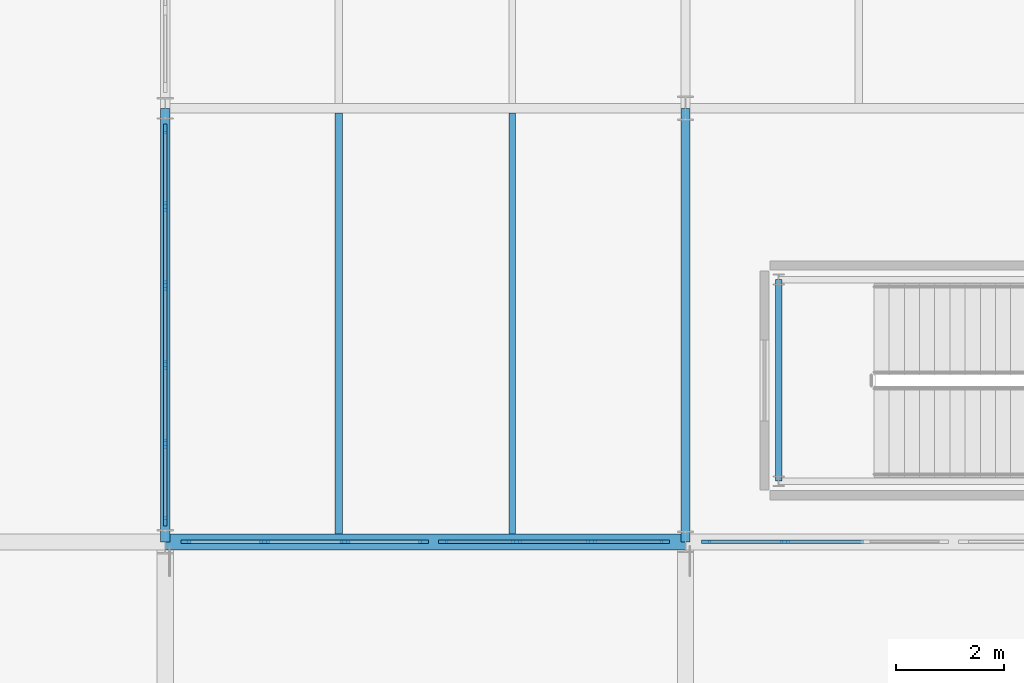
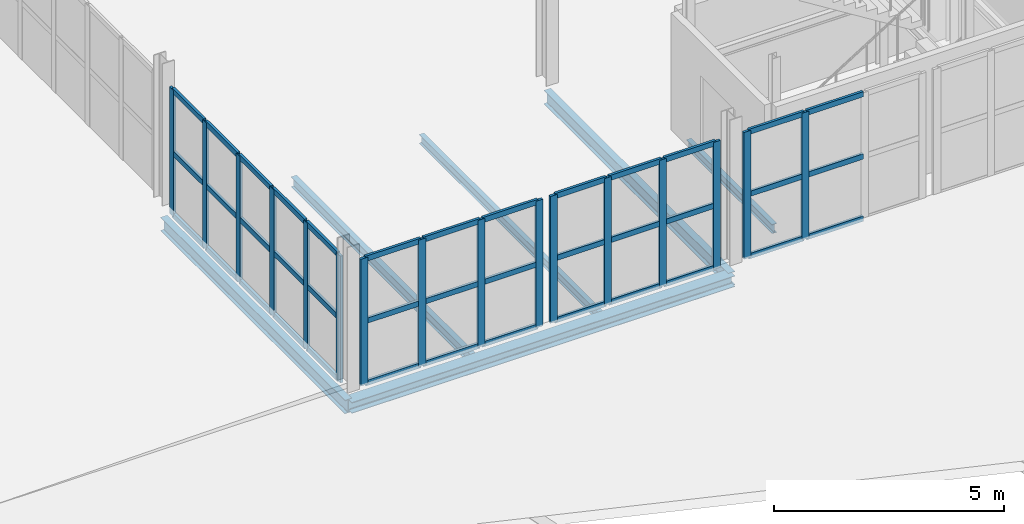
# One storey, part 40 of 85: 55 members, 6 beams, 4 elements without a shape of their own.
"""IFC4 building model written with IfcOpenShell, lengths in metres."""

from ifc_helpers import new_model, si_unit, direction, frame, origin, origin_2d, place, context, subcontext, project, spatial, rectangle, i_section, extrude, material, layer, layer_set, material_profile, profile_set, type_object, element, aggregate, save


model = new_model("IFC4")

# Units and contexts
model_context = context("Model", 3, precision=1e-05, world=origin(), true_north=direction((0.0, 1.0)))
body_context = subcontext(model_context, "Body", "Model", "MODEL_VIEW")
ifc_project = project(units=[si_unit("LENGTHUNIT", "METRE"), si_unit("AREAUNIT", "SQUARE_METRE"), si_unit("VOLUMEUNIT", "CUBIC_METRE"), si_unit("PLANEANGLEUNIT", "RADIAN"), si_unit("MASSUNIT", "GRAM", prefix="KILO")], contexts=[model_context])

# Site, building, storey
site_placement = place(None, origin())
site = spatial("IfcSite", under=ifc_project, at=site_placement, CompositionType="ELEMENT")
building_placement = place(site_placement, origin())
building = spatial("IfcBuilding", under=site, at=building_placement, Name="Alderhovde Museum", CompositionType="ELEMENT")
storey_placement = place(building_placement, frame((0.0, 0.0, 8.699951171875)))
storey = spatial("IfcBuildingStorey", under=building, at=storey_placement, Name="L02", CompositionType="ELEMENT", Elevation=8.699951171875)

# Beams
ifc_material_1 = material(Name="Steel S355J2", Category="steel")
ifc_material_profile_1 = material_profile(ifc_material_1, i_section(OverallWidth=0.1201171875, OverallDepth=0.239990234375, WebThickness=0.006103515625, FlangeThickness=0.009765625, FilletRadius=0.014892578125, at=origin_2d()), Name="IPE 240")
ifc_profile_set_1 = profile_set([ifc_material_profile_1], Name="Steel S355J2")
beam_type_1 = type_object("IfcBeamType", Name="BM-IPE240", PredefinedType="BEAM", material=ifc_profile_set_1)
beam_1_placement = place(storey_placement, frame((88.1201171875, 33.1201171875, -0.3798828125), z_axis=(0.0, 1.0, 0.0), x_axis=(-1.0, 0.0, 0.0)))
element("IfcBeam", 1, at=beam_1_placement, inside=storey, type_object=beam_type_1, Name="L02 Stair ST3 Floor Trimmer W", PredefinedType="BEAM", context=body_context, shape_type="SweptSolid", body=[
    extrude(i_section(OverallWidth=0.1201171875, OverallDepth=0.239990234375, WebThickness=0.006103515625, FlangeThickness=0.009765625, FilletRadius=0.014892578125, at=origin_2d()), origin(), (0.0, 0.0, 1.0), 3.719970703125),
])
ifc_material_2 = material(Name="Steel S355J2", Category="steel")
ifc_material_profile_2 = material_profile(ifc_material_2, i_section(OverallWidth=0.169921875, OverallDepth=0.360107421875, WebThickness=0.008056640625, FlangeThickness=0.0126953125, FilletRadius=0.01806640625, at=origin_2d()), Name="IPE 360")
ifc_profile_set_2 = profile_set([ifc_material_profile_2], Name="Steel S355J2")
beam_type_2 = type_object("IfcBeamType", Name="BM-IPE360", PredefinedType="BEAM", material=ifc_profile_set_2)
for number, where, z_axis, x_axis, name in (
    (2, (76.800048828125, 32.0, -0.43994140625), (0.0, 1.0, 0.0), (-1.0, 0.0, 0.0), "L02 Grid Beam X=76.8 (32.0 TO 40.0)"),
    (3, (86.39990234375, 32.0, -0.43994140625), (0.0, 1.0, 0.0), (-1.0, 0.0, 0.0), "L02 Grid Beam X=86.4 (32.0 TO 40.0)"),
):
    element("IfcBeam", number, at=place(storey_placement, frame(where, z_axis=z_axis, x_axis=x_axis)), inside=storey, type_object=beam_type_2, Name=name, PredefinedType="BEAM", context=body_context, shape_type="SweptSolid", body=[
        extrude(i_section(OverallWidth=0.169921875, OverallDepth=0.360107421875, WebThickness=0.008056640625, FlangeThickness=0.0126953125, FilletRadius=0.01806640625, at=origin_2d()), origin(), (0.0, 0.0, 1.0), 8.0),
    ])

# Curtain wall, members
ifc_material_3 = material(Name="Triple-Glazed Bronze-Anodised Curtain Wall", Category="glass")
ifc_layer_1 = layer(ifc_material_3, 0.179931640625)
ifc_layer_set_1 = layer_set([ifc_layer_1], Name="Triple-Glazed Bronze-Anodised Curtain Wall")
curtain_wall_type_1 = type_object("IfcCurtainWallType", Name="CW-UNIT-445x336", PredefinedType="USERDEFINED", material=ifc_layer_set_1)
curtain_wall_1_placement = place(storey_placement, origin())
curtain_wall_1 = element("IfcCurtainWall", 4, at=curtain_wall_1_placement, inside=storey, type_object=curtain_wall_type_1, Name="L02 Unitised Curtain Wall 35", ObjectType="UNITISED CURTAIN WALL", PredefinedType="USERDEFINED")
ifc_material_4 = material(Name="Bronze-Anodised Aluminium EN AW-6063-T6", Category="aluminium")
ifc_material_profile_3 = material_profile(ifc_material_4, rectangle(XDim=0.06494140625, YDim=0.179931640625, at=origin_2d()), Name="MULLION 65x180")
ifc_profile_set_3 = profile_set([ifc_material_profile_3], Name="Bronze-Anodised Aluminium EN AW-6063-T6")
member_type_1 = type_object("IfcMemberType", Name="CWM-65x180", PredefinedType="MULLION", material=ifc_profile_set_3)
member_1_placement = place(storey_placement, frame((77.1826171875, 32.0, 0.0), z_axis=(0.0, 0.0, 1.0), x_axis=(0.0, 1.0, 0.0)))
member_1 = element("IfcMember", 5, at=member_1_placement, type_object=member_type_1, Name="CW10 mullion 1", PredefinedType="MULLION", context=body_context, shape_type="SweptSolid", body=[
    extrude(rectangle(XDim=0.06494140625, YDim=0.179931640625, at=origin_2d()), origin(), (0.0, 0.0, 1.0), 3.360107421875),
])
member_2_placement = place(storey_placement, frame((78.63330078125, 32.0, 0.0), z_axis=(0.0, 0.0, 1.0), x_axis=(0.0, 1.0, 0.0)))
member_2 = element("IfcMember", 6, at=member_2_placement, type_object=member_type_1, Name="CW10 mullion 2", PredefinedType="MULLION", context=body_context, shape_type="SweptSolid", body=[
    extrude(rectangle(XDim=0.06494140625, YDim=0.179931640625, at=origin_2d()), origin(), (0.0, 0.0, 1.0), 3.360107421875),
])
member_3_placement = place(storey_placement, frame((80.11669921875, 32.0, 0.0), z_axis=(0.0, 0.0, 1.0), x_axis=(0.0, 1.0, 0.0)))
member_3 = element("IfcMember", 7, at=member_3_placement, type_object=member_type_1, Name="CW10 mullion 3", PredefinedType="MULLION", context=body_context, shape_type="SweptSolid", body=[
    extrude(rectangle(XDim=0.06494140625, YDim=0.179931640625, at=origin_2d()), origin(), (0.0, 0.0, 1.0), 3.360107421875),
])
member_4_placement = place(storey_placement, frame((81.5673828125, 32.0, 0.0), z_axis=(0.0, 0.0, 1.0), x_axis=(0.0, 1.0, 0.0)))
member_4 = element("IfcMember", 8, at=member_4_placement, type_object=member_type_1, Name="CW10 mullion 4", PredefinedType="MULLION", context=body_context, shape_type="SweptSolid", body=[
    extrude(rectangle(XDim=0.06494140625, YDim=0.179931640625, at=origin_2d()), origin(), (0.0, 0.0, 1.0), 3.360107421875),
])

ifc_material_5 = material(Name="Triple-Glazed Bronze-Anodised Curtain Wall", Category="glass")
ifc_layer_2 = layer(ifc_material_5, 0.179931640625)
ifc_layer_set_2 = layer_set([ifc_layer_2], Name="Triple-Glazed Bronze-Anodised Curtain Wall")
curtain_wall_type_2 = type_object("IfcCurtainWallType", Name="CW-UNIT-415x336", PredefinedType="USERDEFINED", material=ifc_layer_set_2)
curtain_wall_2_placement = place(storey_placement, origin())
curtain_wall_2 = element("IfcCurtainWall", 9, at=curtain_wall_2_placement, inside=storey, type_object=curtain_wall_type_2, Name="L02 Unitised Curtain Wall 36", ObjectType="UNITISED CURTAIN WALL", PredefinedType="USERDEFINED")
member_5_placement = place(storey_placement, frame((81.9326171875, 32.0, 0.0), z_axis=(0.0, 0.0, 1.0), x_axis=(0.0, 1.0, 0.0)))
member_5 = element("IfcMember", 10, at=member_5_placement, type_object=member_type_1, Name="CW11 mullion 1", PredefinedType="MULLION", context=body_context, shape_type="SweptSolid", body=[
    extrude(rectangle(XDim=0.06494140625, YDim=0.179931640625, at=origin_2d()), origin(), (0.0, 0.0, 1.0), 3.360107421875),
])
member_6_placement = place(storey_placement, frame((83.283447265625, 32.0, 0.0), z_axis=(0.0, 0.0, 1.0), x_axis=(0.0, 1.0, 0.0)))
member_6 = element("IfcMember", 11, at=member_6_placement, type_object=member_type_1, Name="CW11 mullion 2", PredefinedType="MULLION", context=body_context, shape_type="SweptSolid", body=[
    extrude(rectangle(XDim=0.06494140625, YDim=0.179931640625, at=origin_2d()), origin(), (0.0, 0.0, 1.0), 3.360107421875),
])
member_7_placement = place(storey_placement, frame((84.666748046875, 32.0, 0.0), z_axis=(0.0, 0.0, 1.0), x_axis=(0.0, 1.0, 0.0)))
member_7 = element("IfcMember", 12, at=member_7_placement, type_object=member_type_1, Name="CW11 mullion 3", PredefinedType="MULLION", context=body_context, shape_type="SweptSolid", body=[
    extrude(rectangle(XDim=0.06494140625, YDim=0.179931640625, at=origin_2d()), origin(), (0.0, 0.0, 1.0), 3.360107421875),
])
member_8_placement = place(storey_placement, frame((86.017578125, 32.0, 0.0), z_axis=(0.0, 0.0, 1.0), x_axis=(0.0, 1.0, 0.0)))
member_8 = element("IfcMember", 13, at=member_8_placement, type_object=member_type_1, Name="CW11 mullion 4", PredefinedType="MULLION", context=body_context, shape_type="SweptSolid", body=[
    extrude(rectangle(XDim=0.06494140625, YDim=0.179931640625, at=origin_2d()), origin(), (0.0, 0.0, 1.0), 3.360107421875),
])

curtain_wall_3_placement = place(storey_placement, origin())
curtain_wall_3 = element("IfcCurtainWall", 14, at=curtain_wall_3_placement, inside=storey, type_object=curtain_wall_type_1, Name="L02 Unitised Curtain Wall 37", ObjectType="UNITISED CURTAIN WALL", PredefinedType="USERDEFINED")
member_9_placement = place(storey_placement, frame((86.782470703125, 32.0, 0.0), z_axis=(0.0, 0.0, 1.0), x_axis=(0.0, 1.0, 0.0)))
member_9 = element("IfcMember", 15, at=member_9_placement, type_object=member_type_1, Name="CW10 mullion 1", PredefinedType="MULLION", context=body_context, shape_type="SweptSolid", body=[
    extrude(rectangle(XDim=0.06494140625, YDim=0.179931640625, at=origin_2d()), origin(), (0.0, 0.0, 1.0), 3.360107421875),
])
member_10_placement = place(storey_placement, frame((88.2333984375, 32.0, 0.0), z_axis=(0.0, 0.0, 1.0), x_axis=(0.0, 1.0, 0.0)))
member_10 = element("IfcMember", 16, at=member_10_placement, type_object=member_type_1, Name="CW10 mullion 2", PredefinedType="MULLION", context=body_context, shape_type="SweptSolid", body=[
    extrude(rectangle(XDim=0.06494140625, YDim=0.179931640625, at=origin_2d()), origin(), (0.0, 0.0, 1.0), 3.360107421875),
])

ifc_material_6 = material(Name="Triple-Glazed Bronze-Anodised Curtain Wall", Category="glass")
ifc_layer_3 = layer(ifc_material_6, 0.179931640625)
ifc_layer_set_3 = layer_set([ifc_layer_3], Name="Triple-Glazed Bronze-Anodised Curtain Wall")
curtain_wall_type_3 = type_object("IfcCurtainWallType", Name="CW-STIC-730x336", PredefinedType="USERDEFINED", material=ifc_layer_set_3)
curtain_wall_4_placement = place(storey_placement, origin())
curtain_wall_4 = element("IfcCurtainWall", 17, at=curtain_wall_4_placement, inside=storey, type_object=curtain_wall_type_3, Name="L02 Stick Curtain Wall 41", ObjectType="STICK CURTAIN WALL", PredefinedType="USERDEFINED")
member_11_placement = place(storey_placement, frame((76.800048828125, 32.382568359375, 0.0), z_axis=(0.0, 0.0, 1.0), x_axis=(-1.0, 0.0, 0.0)))
member_11 = element("IfcMember", 18, at=member_11_placement, type_object=member_type_1, Name="CW12 mullion 1", PredefinedType="MULLION", context=body_context, shape_type="SweptSolid", body=[
    extrude(rectangle(XDim=0.06494140625, YDim=0.179931640625, at=origin_2d()), origin(), (0.0, 0.0, 1.0), 3.360107421875),
])
member_12_placement = place(storey_placement, frame((76.800048828125, 33.81005859375, 0.0), z_axis=(0.0, 0.0, 1.0), x_axis=(-1.0, 0.0, 0.0)))
member_12 = element("IfcMember", 19, at=member_12_placement, type_object=member_type_1, Name="CW12 mullion 2", PredefinedType="MULLION", context=body_context, shape_type="SweptSolid", body=[
    extrude(rectangle(XDim=0.06494140625, YDim=0.179931640625, at=origin_2d()), origin(), (0.0, 0.0, 1.0), 3.360107421875),
])
member_13_placement = place(storey_placement, frame((76.800048828125, 35.27001953125, 0.0), z_axis=(0.0, 0.0, 1.0), x_axis=(-1.0, 0.0, 0.0)))
member_13 = element("IfcMember", 20, at=member_13_placement, type_object=member_type_1, Name="CW12 mullion 3", PredefinedType="MULLION", context=body_context, shape_type="SweptSolid", body=[
    extrude(rectangle(XDim=0.06494140625, YDim=0.179931640625, at=origin_2d()), origin(), (0.0, 0.0, 1.0), 3.360107421875),
])
member_14_placement = place(storey_placement, frame((76.800048828125, 36.72998046875, 0.0), z_axis=(0.0, 0.0, 1.0), x_axis=(-1.0, 0.0, 0.0)))
member_14 = element("IfcMember", 21, at=member_14_placement, type_object=member_type_1, Name="CW12 mullion 4", PredefinedType="MULLION", context=body_context, shape_type="SweptSolid", body=[
    extrude(rectangle(XDim=0.06494140625, YDim=0.179931640625, at=origin_2d()), origin(), (0.0, 0.0, 1.0), 3.360107421875),
])
member_15_placement = place(storey_placement, frame((76.800048828125, 38.18994140625, 0.0), z_axis=(0.0, 0.0, 1.0), x_axis=(-1.0, 0.0, 0.0)))
member_15 = element("IfcMember", 22, at=member_15_placement, type_object=member_type_1, Name="CW12 mullion 5", PredefinedType="MULLION", context=body_context, shape_type="SweptSolid", body=[
    extrude(rectangle(XDim=0.06494140625, YDim=0.179931640625, at=origin_2d()), origin(), (0.0, 0.0, 1.0), 3.360107421875),
])
member_16_placement = place(storey_placement, frame((76.800048828125, 39.617431640625, 0.0), z_axis=(0.0, 0.0, 1.0), x_axis=(-1.0, 0.0, 0.0)))
member_16 = element("IfcMember", 23, at=member_16_placement, type_object=member_type_1, Name="CW12 mullion 6", PredefinedType="MULLION", context=body_context, shape_type="SweptSolid", body=[
    extrude(rectangle(XDim=0.06494140625, YDim=0.179931640625, at=origin_2d()), origin(), (0.0, 0.0, 1.0), 3.360107421875),
])

# Member
ifc_material_7 = material(Name="Bronze-Anodised Aluminium EN AW-6063-T6", Category="aluminium")
ifc_material_profile_4 = material_profile(ifc_material_7, rectangle(XDim=0.06494140625, YDim=0.139892578125, at=origin_2d()), Name="TRANSOM 65x140")
ifc_profile_set_4 = profile_set([ifc_material_profile_4], Name="Bronze-Anodised Aluminium EN AW-6063-T6")
member_type_2 = type_object("IfcMemberType", Name="CWT-65x140", PredefinedType="USERDEFINED", material=ifc_profile_set_4)
member_17_placement = place(storey_placement, frame((77.215087890625, 32.0, 0.032470703125), z_axis=(1.0, 0.0, 0.0), x_axis=(0.0, 1.0, 0.0)))
member_17 = element("IfcMember", 24, at=member_17_placement, type_object=member_type_2, Name="CW10 transom 1.1", ObjectType="TRANSOM", PredefinedType="USERDEFINED", context=body_context, shape_type="SweptSolid", body=[
    extrude(rectangle(XDim=0.06494140625, YDim=0.139892578125, at=origin_2d()), origin(), (0.0, 0.0, 1.0), 1.3857421875),
])

member_18_placement = place(storey_placement, frame((77.215087890625, 32.0, 1.679931640625), z_axis=(1.0, 0.0, 0.0), x_axis=(0.0, 1.0, 0.0)))
member_18 = element("IfcMember", 25, at=member_18_placement, type_object=member_type_2, Name="CW10 transom 1.2", ObjectType="TRANSOM", PredefinedType="USERDEFINED", context=body_context, shape_type="SweptSolid", body=[
    extrude(rectangle(XDim=0.06494140625, YDim=0.139892578125, at=origin_2d()), origin(), (0.0, 0.0, 1.0), 1.3857421875),
])

member_19_placement = place(storey_placement, frame((77.215087890625, 32.0, 3.32763671875), z_axis=(1.0, 0.0, 0.0), x_axis=(0.0, 1.0, 0.0)))
member_19 = element("IfcMember", 26, at=member_19_placement, type_object=member_type_2, Name="CW10 transom 1.3", ObjectType="TRANSOM", PredefinedType="USERDEFINED", context=body_context, shape_type="SweptSolid", body=[
    extrude(rectangle(XDim=0.06494140625, YDim=0.139892578125, at=origin_2d()), origin(), (0.0, 0.0, 1.0), 1.3857421875),
])

member_20_placement = place(storey_placement, frame((78.665771484375, 32.0, 0.032470703125), z_axis=(1.0, 0.0, 0.0), x_axis=(0.0, 1.0, 0.0)))
member_20 = element("IfcMember", 27, at=member_20_placement, type_object=member_type_2, Name="CW10 transom 2.1", ObjectType="TRANSOM", PredefinedType="USERDEFINED", context=body_context, shape_type="SweptSolid", body=[
    extrude(rectangle(XDim=0.06494140625, YDim=0.139892578125, at=origin_2d()), origin(), (0.0, 0.0, 1.0), 1.41845703125),
])

member_21_placement = place(storey_placement, frame((78.665771484375, 32.0, 1.679931640625), z_axis=(1.0, 0.0, 0.0), x_axis=(0.0, 1.0, 0.0)))
member_21 = element("IfcMember", 28, at=member_21_placement, type_object=member_type_2, Name="CW10 transom 2.2", ObjectType="TRANSOM", PredefinedType="USERDEFINED", context=body_context, shape_type="SweptSolid", body=[
    extrude(rectangle(XDim=0.06494140625, YDim=0.139892578125, at=origin_2d()), origin(), (0.0, 0.0, 1.0), 1.41845703125),
])

member_22_placement = place(storey_placement, frame((78.665771484375, 32.0, 3.32763671875), z_axis=(1.0, 0.0, 0.0), x_axis=(0.0, 1.0, 0.0)))
member_22 = element("IfcMember", 29, at=member_22_placement, type_object=member_type_2, Name="CW10 transom 2.3", ObjectType="TRANSOM", PredefinedType="USERDEFINED", context=body_context, shape_type="SweptSolid", body=[
    extrude(rectangle(XDim=0.06494140625, YDim=0.139892578125, at=origin_2d()), origin(), (0.0, 0.0, 1.0), 1.41845703125),
])

member_23_placement = place(storey_placement, frame((80.149169921875, 32.0, 0.032470703125), z_axis=(1.0, 0.0, 0.0), x_axis=(0.0, 1.0, 0.0)))
member_23 = element("IfcMember", 30, at=member_23_placement, type_object=member_type_2, Name="CW10 transom 3.1", ObjectType="TRANSOM", PredefinedType="USERDEFINED", context=body_context, shape_type="SweptSolid", body=[
    extrude(rectangle(XDim=0.06494140625, YDim=0.139892578125, at=origin_2d()), origin(), (0.0, 0.0, 1.0), 1.3857421875),
])

member_24_placement = place(storey_placement, frame((80.149169921875, 32.0, 1.679931640625), z_axis=(1.0, 0.0, 0.0), x_axis=(0.0, 1.0, 0.0)))
member_24 = element("IfcMember", 31, at=member_24_placement, type_object=member_type_2, Name="CW10 transom 3.2", ObjectType="TRANSOM", PredefinedType="USERDEFINED", context=body_context, shape_type="SweptSolid", body=[
    extrude(rectangle(XDim=0.06494140625, YDim=0.139892578125, at=origin_2d()), origin(), (0.0, 0.0, 1.0), 1.3857421875),
])

member_25_placement = place(storey_placement, frame((80.149169921875, 32.0, 3.32763671875), z_axis=(1.0, 0.0, 0.0), x_axis=(0.0, 1.0, 0.0)))
member_25 = element("IfcMember", 32, at=member_25_placement, type_object=member_type_2, Name="CW10 transom 3.3", ObjectType="TRANSOM", PredefinedType="USERDEFINED", context=body_context, shape_type="SweptSolid", body=[
    extrude(rectangle(XDim=0.06494140625, YDim=0.139892578125, at=origin_2d()), origin(), (0.0, 0.0, 1.0), 1.3857421875),
])

aggregate(curtain_wall_1, [member_1, member_2, member_3, member_4, member_17, member_18, member_19, member_20, member_21, member_22, member_23, member_24, member_25])

member_26_placement = place(storey_placement, frame((81.965087890625, 32.0, 0.032470703125), z_axis=(1.0, 0.0, 0.0), x_axis=(0.0, 1.0, 0.0)))
member_26 = element("IfcMember", 33, at=member_26_placement, type_object=member_type_2, Name="CW11 transom 1.1", ObjectType="TRANSOM", PredefinedType="USERDEFINED", context=body_context, shape_type="SweptSolid", body=[
    extrude(rectangle(XDim=0.06494140625, YDim=0.139892578125, at=origin_2d()), origin(), (0.0, 0.0, 1.0), 1.28564453125),
])

member_27_placement = place(storey_placement, frame((81.965087890625, 32.0, 1.679931640625), z_axis=(1.0, 0.0, 0.0), x_axis=(0.0, 1.0, 0.0)))
member_27 = element("IfcMember", 34, at=member_27_placement, type_object=member_type_2, Name="CW11 transom 1.2", ObjectType="TRANSOM", PredefinedType="USERDEFINED", context=body_context, shape_type="SweptSolid", body=[
    extrude(rectangle(XDim=0.06494140625, YDim=0.139892578125, at=origin_2d()), origin(), (0.0, 0.0, 1.0), 1.28564453125),
])

member_28_placement = place(storey_placement, frame((81.965087890625, 32.0, 3.32763671875), z_axis=(1.0, 0.0, 0.0), x_axis=(0.0, 1.0, 0.0)))
member_28 = element("IfcMember", 35, at=member_28_placement, type_object=member_type_2, Name="CW11 transom 1.3", ObjectType="TRANSOM", PredefinedType="USERDEFINED", context=body_context, shape_type="SweptSolid", body=[
    extrude(rectangle(XDim=0.06494140625, YDim=0.139892578125, at=origin_2d()), origin(), (0.0, 0.0, 1.0), 1.28564453125),
])

member_29_placement = place(storey_placement, frame((83.31591796875, 32.0, 0.032470703125), z_axis=(1.0, 0.0, 0.0), x_axis=(0.0, 1.0, 0.0)))
member_29 = element("IfcMember", 36, at=member_29_placement, type_object=member_type_2, Name="CW11 transom 2.1", ObjectType="TRANSOM", PredefinedType="USERDEFINED", context=body_context, shape_type="SweptSolid", body=[
    extrude(rectangle(XDim=0.06494140625, YDim=0.139892578125, at=origin_2d()), origin(), (0.0, 0.0, 1.0), 1.318359375),
])

member_30_placement = place(storey_placement, frame((83.31591796875, 32.0, 1.679931640625), z_axis=(1.0, 0.0, 0.0), x_axis=(0.0, 1.0, 0.0)))
member_30 = element("IfcMember", 37, at=member_30_placement, type_object=member_type_2, Name="CW11 transom 2.2", ObjectType="TRANSOM", PredefinedType="USERDEFINED", context=body_context, shape_type="SweptSolid", body=[
    extrude(rectangle(XDim=0.06494140625, YDim=0.139892578125, at=origin_2d()), origin(), (0.0, 0.0, 1.0), 1.318359375),
])

member_31_placement = place(storey_placement, frame((83.31591796875, 32.0, 3.32763671875), z_axis=(1.0, 0.0, 0.0), x_axis=(0.0, 1.0, 0.0)))
member_31 = element("IfcMember", 38, at=member_31_placement, type_object=member_type_2, Name="CW11 transom 2.3", ObjectType="TRANSOM", PredefinedType="USERDEFINED", context=body_context, shape_type="SweptSolid", body=[
    extrude(rectangle(XDim=0.06494140625, YDim=0.139892578125, at=origin_2d()), origin(), (0.0, 0.0, 1.0), 1.318359375),
])

member_32_placement = place(storey_placement, frame((84.69921875, 32.0, 0.032470703125), z_axis=(1.0, 0.0, 0.0), x_axis=(0.0, 1.0, 0.0)))
member_32 = element("IfcMember", 39, at=member_32_placement, type_object=member_type_2, Name="CW11 transom 3.1", ObjectType="TRANSOM", PredefinedType="USERDEFINED", context=body_context, shape_type="SweptSolid", body=[
    extrude(rectangle(XDim=0.06494140625, YDim=0.139892578125, at=origin_2d()), origin(), (0.0, 0.0, 1.0), 1.285888671875),
])

member_33_placement = place(storey_placement, frame((84.69921875, 32.0, 1.679931640625), z_axis=(1.0, 0.0, 0.0), x_axis=(0.0, 1.0, 0.0)))
member_33 = element("IfcMember", 40, at=member_33_placement, type_object=member_type_2, Name="CW11 transom 3.2", ObjectType="TRANSOM", PredefinedType="USERDEFINED", context=body_context, shape_type="SweptSolid", body=[
    extrude(rectangle(XDim=0.06494140625, YDim=0.139892578125, at=origin_2d()), origin(), (0.0, 0.0, 1.0), 1.285888671875),
])

member_34_placement = place(storey_placement, frame((84.69921875, 32.0, 3.32763671875), z_axis=(1.0, 0.0, 0.0), x_axis=(0.0, 1.0, 0.0)))
member_34 = element("IfcMember", 41, at=member_34_placement, type_object=member_type_2, Name="CW11 transom 3.3", ObjectType="TRANSOM", PredefinedType="USERDEFINED", context=body_context, shape_type="SweptSolid", body=[
    extrude(rectangle(XDim=0.06494140625, YDim=0.139892578125, at=origin_2d()), origin(), (0.0, 0.0, 1.0), 1.285888671875),
])

aggregate(curtain_wall_2, [member_5, member_6, member_7, member_8, member_26, member_27, member_28, member_29, member_30, member_31, member_32, member_33, member_34])

member_35_placement = place(storey_placement, frame((86.81494140625, 32.0, 0.032470703125), z_axis=(1.0, 0.0, 0.0), x_axis=(0.0, 1.0, 0.0)))
member_35 = element("IfcMember", 42, at=member_35_placement, type_object=member_type_2, Name="CW10 transom 1.1", ObjectType="TRANSOM", PredefinedType="USERDEFINED", context=body_context, shape_type="SweptSolid", body=[
    extrude(rectangle(XDim=0.06494140625, YDim=0.139892578125, at=origin_2d()), origin(), (0.0, 0.0, 1.0), 1.385986328125),
])

member_36_placement = place(storey_placement, frame((86.81494140625, 32.0, 1.679931640625), z_axis=(1.0, 0.0, 0.0), x_axis=(0.0, 1.0, 0.0)))
member_36 = element("IfcMember", 43, at=member_36_placement, type_object=member_type_2, Name="CW10 transom 1.2", ObjectType="TRANSOM", PredefinedType="USERDEFINED", context=body_context, shape_type="SweptSolid", body=[
    extrude(rectangle(XDim=0.06494140625, YDim=0.139892578125, at=origin_2d()), origin(), (0.0, 0.0, 1.0), 1.385986328125),
])

member_37_placement = place(storey_placement, frame((86.81494140625, 32.0, 3.32763671875), z_axis=(1.0, 0.0, 0.0), x_axis=(0.0, 1.0, 0.0)))
member_37 = element("IfcMember", 44, at=member_37_placement, type_object=member_type_2, Name="CW10 transom 1.3", ObjectType="TRANSOM", PredefinedType="USERDEFINED", context=body_context, shape_type="SweptSolid", body=[
    extrude(rectangle(XDim=0.06494140625, YDim=0.139892578125, at=origin_2d()), origin(), (0.0, 0.0, 1.0), 1.385986328125),
])

member_38_placement = place(storey_placement, frame((88.265869140625, 32.0, 0.032470703125), z_axis=(1.0, 0.0, 0.0), x_axis=(0.0, 1.0, 0.0)))
member_38 = element("IfcMember", 45, at=member_38_placement, type_object=member_type_2, Name="CW10 transom 2.1", ObjectType="TRANSOM", PredefinedType="USERDEFINED", context=body_context, shape_type="SweptSolid", body=[
    extrude(rectangle(XDim=0.06494140625, YDim=0.139892578125, at=origin_2d()), origin(), (0.0, 0.0, 1.0), 1.418212890625),
])

member_39_placement = place(storey_placement, frame((88.265869140625, 32.0, 1.679931640625), z_axis=(1.0, 0.0, 0.0), x_axis=(0.0, 1.0, 0.0)))
member_39 = element("IfcMember", 46, at=member_39_placement, type_object=member_type_2, Name="CW10 transom 2.2", ObjectType="TRANSOM", PredefinedType="USERDEFINED", context=body_context, shape_type="SweptSolid", body=[
    extrude(rectangle(XDim=0.06494140625, YDim=0.139892578125, at=origin_2d()), origin(), (0.0, 0.0, 1.0), 1.418212890625),
])

member_40_placement = place(storey_placement, frame((88.265869140625, 32.0, 3.32763671875), z_axis=(1.0, 0.0, 0.0), x_axis=(0.0, 1.0, 0.0)))
member_40 = element("IfcMember", 47, at=member_40_placement, type_object=member_type_2, Name="CW10 transom 2.3", ObjectType="TRANSOM", PredefinedType="USERDEFINED", context=body_context, shape_type="SweptSolid", body=[
    extrude(rectangle(XDim=0.06494140625, YDim=0.139892578125, at=origin_2d()), origin(), (0.0, 0.0, 1.0), 1.418212890625),
])

aggregate(curtain_wall_3, [member_9, member_10, member_35, member_36, member_37, member_38, member_39, member_40])

member_41_placement = place(storey_placement, frame((76.800048828125, 32.4150390625, 0.032470703125), z_axis=(0.0, 1.0, 0.0), x_axis=(-1.0, 0.0, 0.0)))
member_41 = element("IfcMember", 48, at=member_41_placement, type_object=member_type_2, Name="CW12 transom 1.1", ObjectType="TRANSOM", PredefinedType="USERDEFINED", context=body_context, shape_type="SweptSolid", body=[
    extrude(rectangle(XDim=0.06494140625, YDim=0.139892578125, at=origin_2d()), origin(), (0.0, 0.0, 1.0), 1.362548828125),
])

member_42_placement = place(storey_placement, frame((76.800048828125, 32.4150390625, 1.679931640625), z_axis=(0.0, 1.0, 0.0), x_axis=(-1.0, 0.0, 0.0)))
member_42 = element("IfcMember", 49, at=member_42_placement, type_object=member_type_2, Name="CW12 transom 1.2", ObjectType="TRANSOM", PredefinedType="USERDEFINED", context=body_context, shape_type="SweptSolid", body=[
    extrude(rectangle(XDim=0.06494140625, YDim=0.139892578125, at=origin_2d()), origin(), (0.0, 0.0, 1.0), 1.362548828125),
])

member_43_placement = place(storey_placement, frame((76.800048828125, 32.4150390625, 3.32763671875), z_axis=(0.0, 1.0, 0.0), x_axis=(-1.0, 0.0, 0.0)))
member_43 = element("IfcMember", 50, at=member_43_placement, type_object=member_type_2, Name="CW12 transom 1.3", ObjectType="TRANSOM", PredefinedType="USERDEFINED", context=body_context, shape_type="SweptSolid", body=[
    extrude(rectangle(XDim=0.06494140625, YDim=0.139892578125, at=origin_2d()), origin(), (0.0, 0.0, 1.0), 1.362548828125),
])

member_44_placement = place(storey_placement, frame((76.800048828125, 33.842529296875, 0.032470703125), z_axis=(0.0, 1.0, 0.0), x_axis=(-1.0, 0.0, 0.0)))
member_44 = element("IfcMember", 51, at=member_44_placement, type_object=member_type_2, Name="CW12 transom 2.1", ObjectType="TRANSOM", PredefinedType="USERDEFINED", context=body_context, shape_type="SweptSolid", body=[
    extrude(rectangle(XDim=0.06494140625, YDim=0.139892578125, at=origin_2d()), origin(), (0.0, 0.0, 1.0), 1.39501953125),
])

member_45_placement = place(storey_placement, frame((76.800048828125, 33.842529296875, 1.679931640625), z_axis=(0.0, 1.0, 0.0), x_axis=(-1.0, 0.0, 0.0)))
member_45 = element("IfcMember", 52, at=member_45_placement, type_object=member_type_2, Name="CW12 transom 2.2", ObjectType="TRANSOM", PredefinedType="USERDEFINED", context=body_context, shape_type="SweptSolid", body=[
    extrude(rectangle(XDim=0.06494140625, YDim=0.139892578125, at=origin_2d()), origin(), (0.0, 0.0, 1.0), 1.39501953125),
])

member_46_placement = place(storey_placement, frame((76.800048828125, 33.842529296875, 3.32763671875), z_axis=(0.0, 1.0, 0.0), x_axis=(-1.0, 0.0, 0.0)))
member_46 = element("IfcMember", 53, at=member_46_placement, type_object=member_type_2, Name="CW12 transom 2.3", ObjectType="TRANSOM", PredefinedType="USERDEFINED", context=body_context, shape_type="SweptSolid", body=[
    extrude(rectangle(XDim=0.06494140625, YDim=0.139892578125, at=origin_2d()), origin(), (0.0, 0.0, 1.0), 1.39501953125),
])

member_47_placement = place(storey_placement, frame((76.800048828125, 35.302490234375, 0.032470703125), z_axis=(0.0, 1.0, 0.0), x_axis=(-1.0, 0.0, 0.0)))
member_47 = element("IfcMember", 54, at=member_47_placement, type_object=member_type_2, Name="CW12 transom 3.1", ObjectType="TRANSOM", PredefinedType="USERDEFINED", context=body_context, shape_type="SweptSolid", body=[
    extrude(rectangle(XDim=0.06494140625, YDim=0.139892578125, at=origin_2d()), origin(), (0.0, 0.0, 1.0), 1.39501953125),
])

member_48_placement = place(storey_placement, frame((76.800048828125, 35.302490234375, 1.679931640625), z_axis=(0.0, 1.0, 0.0), x_axis=(-1.0, 0.0, 0.0)))
member_48 = element("IfcMember", 55, at=member_48_placement, type_object=member_type_2, Name="CW12 transom 3.2", ObjectType="TRANSOM", PredefinedType="USERDEFINED", context=body_context, shape_type="SweptSolid", body=[
    extrude(rectangle(XDim=0.06494140625, YDim=0.139892578125, at=origin_2d()), origin(), (0.0, 0.0, 1.0), 1.39501953125),
])

member_49_placement = place(storey_placement, frame((76.800048828125, 35.302490234375, 3.32763671875), z_axis=(0.0, 1.0, 0.0), x_axis=(-1.0, 0.0, 0.0)))
member_49 = element("IfcMember", 56, at=member_49_placement, type_object=member_type_2, Name="CW12 transom 3.3", ObjectType="TRANSOM", PredefinedType="USERDEFINED", context=body_context, shape_type="SweptSolid", body=[
    extrude(rectangle(XDim=0.06494140625, YDim=0.139892578125, at=origin_2d()), origin(), (0.0, 0.0, 1.0), 1.39501953125),
])

member_50_placement = place(storey_placement, frame((76.800048828125, 36.762451171875, 0.032470703125), z_axis=(0.0, 1.0, 0.0), x_axis=(-1.0, 0.0, 0.0)))
member_50 = element("IfcMember", 57, at=member_50_placement, type_object=member_type_2, Name="CW12 transom 4.1", ObjectType="TRANSOM", PredefinedType="USERDEFINED", context=body_context, shape_type="SweptSolid", body=[
    extrude(rectangle(XDim=0.06494140625, YDim=0.139892578125, at=origin_2d()), origin(), (0.0, 0.0, 1.0), 1.39501953125),
])

member_51_placement = place(storey_placement, frame((76.800048828125, 36.762451171875, 1.679931640625), z_axis=(0.0, 1.0, 0.0), x_axis=(-1.0, 0.0, 0.0)))
member_51 = element("IfcMember", 58, at=member_51_placement, type_object=member_type_2, Name="CW12 transom 4.2", ObjectType="TRANSOM", PredefinedType="USERDEFINED", context=body_context, shape_type="SweptSolid", body=[
    extrude(rectangle(XDim=0.06494140625, YDim=0.139892578125, at=origin_2d()), origin(), (0.0, 0.0, 1.0), 1.39501953125),
])

member_52_placement = place(storey_placement, frame((76.800048828125, 36.762451171875, 3.32763671875), z_axis=(0.0, 1.0, 0.0), x_axis=(-1.0, 0.0, 0.0)))
member_52 = element("IfcMember", 59, at=member_52_placement, type_object=member_type_2, Name="CW12 transom 4.3", ObjectType="TRANSOM", PredefinedType="USERDEFINED", context=body_context, shape_type="SweptSolid", body=[
    extrude(rectangle(XDim=0.06494140625, YDim=0.139892578125, at=origin_2d()), origin(), (0.0, 0.0, 1.0), 1.39501953125),
])

member_53_placement = place(storey_placement, frame((76.800048828125, 38.222412109375, 0.032470703125), z_axis=(0.0, 1.0, 0.0), x_axis=(-1.0, 0.0, 0.0)))
member_53 = element("IfcMember", 60, at=member_53_placement, type_object=member_type_2, Name="CW12 transom 5.1", ObjectType="TRANSOM", PredefinedType="USERDEFINED", context=body_context, shape_type="SweptSolid", body=[
    extrude(rectangle(XDim=0.06494140625, YDim=0.139892578125, at=origin_2d()), origin(), (0.0, 0.0, 1.0), 1.362548828125),
])

member_54_placement = place(storey_placement, frame((76.800048828125, 38.222412109375, 1.679931640625), z_axis=(0.0, 1.0, 0.0), x_axis=(-1.0, 0.0, 0.0)))
member_54 = element("IfcMember", 61, at=member_54_placement, type_object=member_type_2, Name="CW12 transom 5.2", ObjectType="TRANSOM", PredefinedType="USERDEFINED", context=body_context, shape_type="SweptSolid", body=[
    extrude(rectangle(XDim=0.06494140625, YDim=0.139892578125, at=origin_2d()), origin(), (0.0, 0.0, 1.0), 1.362548828125),
])

member_55_placement = place(storey_placement, frame((76.800048828125, 38.222412109375, 3.32763671875), z_axis=(0.0, 1.0, 0.0), x_axis=(-1.0, 0.0, 0.0)))
member_55 = element("IfcMember", 62, at=member_55_placement, type_object=member_type_2, Name="CW12 transom 5.3", ObjectType="TRANSOM", PredefinedType="USERDEFINED", context=body_context, shape_type="SweptSolid", body=[
    extrude(rectangle(XDim=0.06494140625, YDim=0.139892578125, at=origin_2d()), origin(), (0.0, 0.0, 1.0), 1.362548828125),
])

aggregate(curtain_wall_4, [member_11, member_12, member_13, member_14, member_15, member_16, member_41, member_42, member_43, member_44, member_45, member_46, member_47, member_48, member_49, member_50, member_51, member_52, member_53, member_54, member_55])

# Beams
ifc_material_8 = material(Name="Steel S355J2", Category="steel")
ifc_material_profile_5 = material_profile(ifc_material_8, i_section(OverallWidth=0.1201171875, OverallDepth=0.239990234375, WebThickness=0.006103515625, FlangeThickness=0.009765625, FilletRadius=0.014892578125, at=origin_2d()), Name="IPE 240")
ifc_profile_set_5 = profile_set([ifc_material_profile_5], Name="Steel S355J2")
beam_type_3 = type_object("IfcBeamType", Name="JST-IPE240", PredefinedType="JOIST", material=ifc_profile_set_5)
beam_2_placement = place(storey_placement, frame((83.199951171875, 32.14990234375, -0.3798828125), z_axis=(0.0, 1.0, 0.0), x_axis=(-1.0, 0.0, 0.0)))
element("IfcBeam", 63, at=beam_2_placement, inside=storey, type_object=beam_type_3, Name="L02 Composite Joist X=83.2 (32.0 TO 40.0)", PredefinedType="JOIST", context=body_context, shape_type="SweptSolid", body=[
    extrude(i_section(OverallWidth=0.1201171875, OverallDepth=0.239990234375, WebThickness=0.006103515625, FlangeThickness=0.009765625, FilletRadius=0.014892578125, at=origin_2d()), origin(), (0.0, 0.0, 1.0), 7.760009765625),
])
ifc_material_9 = material(Name="Steel S355J2", Category="steel")
ifc_material_profile_6 = material_profile(ifc_material_9, i_section(OverallWidth=0.135009765625, OverallDepth=0.27001953125, WebThickness=0.006591796875, FlangeThickness=0.01025390625, FilletRadius=0.014892578125, at=origin_2d()), Name="IPE 270")
ifc_profile_set_6 = profile_set([ifc_material_profile_6], Name="Steel S355J2")
beam_type_4 = type_object("IfcBeamType", Name="JST-IPE270", PredefinedType="JOIST", material=ifc_profile_set_6)
beam_3_placement = place(storey_placement, frame((80.0, 32.14990234375, -0.39501953125), z_axis=(0.0, 1.0, 0.0), x_axis=(-1.0, 0.0, 0.0)))
element("IfcBeam", 64, at=beam_3_placement, inside=storey, type_object=beam_type_4, Name="L02 Composite Joist X=80.0 (32.0 TO 40.0)", PredefinedType="JOIST", context=body_context, shape_type="SweptSolid", body=[
    extrude(i_section(OverallWidth=0.135009765625, OverallDepth=0.27001953125, WebThickness=0.006591796875, FlangeThickness=0.01025390625, FilletRadius=0.014892578125, at=origin_2d()), origin(), (0.0, 0.0, 1.0), 7.760009765625),
])
ifc_material_10 = material(Name="Steel S355J2", Category="steel")
ifc_material_profile_7 = material_profile(ifc_material_10, i_section(OverallWidth=0.300048828125, OverallDepth=0.2900390625, WebThickness=0.008544921875, FlangeThickness=0.013916015625, FilletRadius=0.027099609375, at=origin_2d()), Name="HEA 300")
ifc_profile_set_7 = profile_set([ifc_material_profile_7], Name="Steel S355J2")
beam_type_5 = type_object("IfcBeamType", Name="SPD-HEA300", PredefinedType="SPANDREL", material=ifc_profile_set_7)
beam_4_placement = place(storey_placement, frame((76.800048828125, 32.0, -0.405029296875), z_axis=(1.0, 0.0, 0.0), x_axis=(0.0, 1.0, 0.0)))
element("IfcBeam", 65, at=beam_4_placement, inside=storey, type_object=beam_type_5, Name="L02 Grid Beam Y=32.0 (76.8 TO 86.4)", PredefinedType="SPANDREL", context=body_context, shape_type="SweptSolid", body=[
    extrude(i_section(OverallWidth=0.300048828125, OverallDepth=0.2900390625, WebThickness=0.008544921875, FlangeThickness=0.013916015625, FilletRadius=0.027099609375, at=origin_2d()), origin(), (0.0, 0.0, 1.0), 9.599853515625),
])

save(model, "model.ifc")
